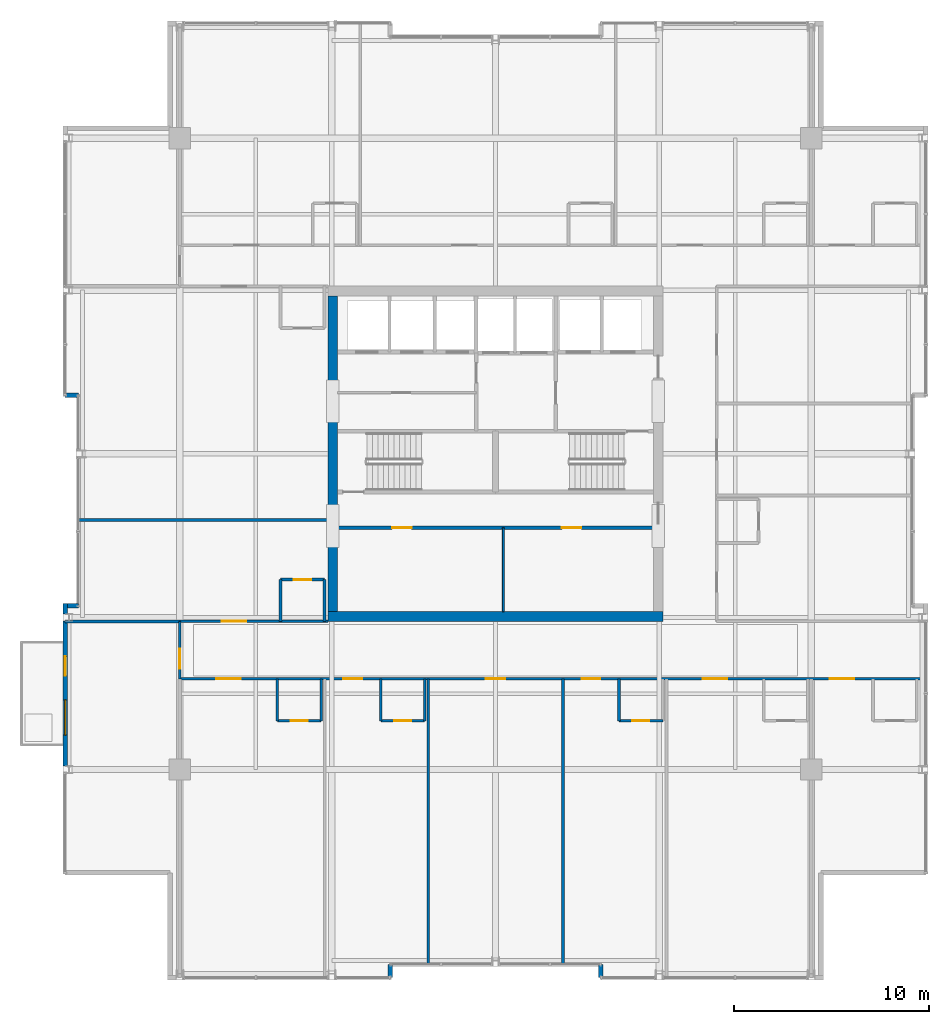
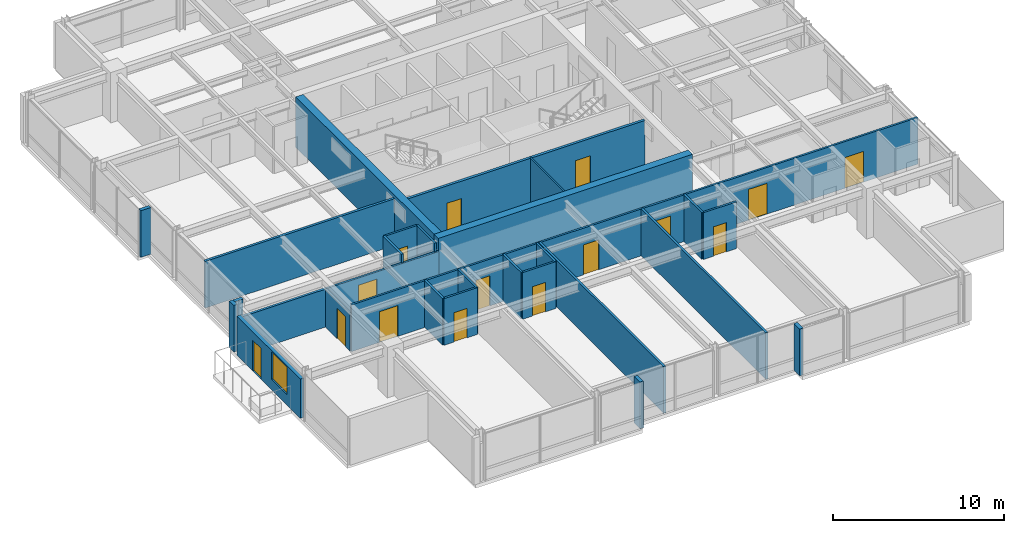
# One storey, part 26 of 31: 28 walls, 15 doors, 1 window, 16 openings.
"""IFC4 building model written with IfcOpenShell, lengths in metres."""

from ifc_helpers import new_model, si_unit, direction, frame, frame_2d, origin, place, context, subcontext, project, spatial, rectangle, extrude, material, layer, layer_set, type_object, element, fill, save


model = new_model("IFC4")

# Units and contexts
model_context = context("Model", 3, precision=1e-05, world=origin(), true_north=direction((0.0, 1.0)))
body_context = subcontext(model_context, "Body", "Model", "MODEL_VIEW")
ifc_project = project(units=[si_unit("LENGTHUNIT", "METRE"), si_unit("AREAUNIT", "SQUARE_METRE"), si_unit("VOLUMEUNIT", "CUBIC_METRE"), si_unit("PLANEANGLEUNIT", "RADIAN"), si_unit("MASSUNIT", "GRAM", prefix="KILO")], contexts=[model_context])

# Site, building, storey
site_placement = place(None, origin())
site = spatial("IfcSite", under=ifc_project, at=site_placement, CompositionType="ELEMENT")
building_placement = place(site_placement, origin())
building = spatial("IfcBuilding", under=site, at=building_placement, Name="Drelvath Grand Hotel", CompositionType="ELEMENT")
storey_placement = place(building_placement, frame((0.0, 0.0, 230.300048828125)))
storey = spatial("IfcBuildingStorey", under=building, at=storey_placement, Name="L60", CompositionType="ELEMENT", Elevation=230.300048828125)

# Wall
ifc_material_1 = material(Name="Gypsum Partition Board")
ifc_layer_1 = layer(ifc_material_1, 0.10009765625)
ifc_layer_set_1 = layer_set([ifc_layer_1], Name="Gypsum Partition Board")
wall_type_1 = type_object("IfcWallType", Name="Core Closet Partition 100", PredefinedType="PARTITIONING", material=ifc_layer_set_1)
wall_1_placement = place(storey_placement, frame((0.39990234375, 18.89990234375, 0.0), z_axis=(0.0, 0.0, 1.0), x_axis=(0.0, 1.0, 0.0)))
element("IfcWall", 1, at=wall_1_placement, inside=storey, type_object=wall_type_1, Name="L60 Upper Core Split 0", PredefinedType="PARTITIONING", context=body_context, shape_type="SweptSolid", body=[
    extrude(rectangle(XDim=4.300048828125, YDim=0.10009765625, at=frame_2d((2.14990234375, 0.0))), origin(), (0.0, 0.0, 1.0), 3.33984375),
])

# Wall, openings, doors
ifc_material_2 = material(Name="Gypsum Fireboard Partition")
ifc_layer_2 = layer(ifc_material_2, 0.135009765625)
ifc_layer_set_2 = layer_set([ifc_layer_2], Name="Gypsum Fireboard Partition")
wall_type_2 = type_object("IfcWallType", Name="Corridor Fire Barrier Wall 135", PredefinedType="PARTITIONING", material=ifc_layer_set_2)
wall_2_placement = place(storey_placement, frame((-16.199951171875, 15.449951171875, 0.0), z_axis=(0.0, 0.0, 1.0), x_axis=(1.0, 0.0, 0.0)))
wall_2 = element("IfcWall", 2, at=wall_2_placement, inside=storey, type_object=wall_type_2, Name="L60 South Cross-Gallery Wall", PredefinedType="PARTITIONING", context=body_context, shape_type="SweptSolid", body=[
    extrude(rectangle(XDim=38.280029296875, YDim=0.135009765625, at=frame_2d((19.14013671875, 0.0))), origin(), (0.0, 0.0, 1.0), 3.33984375),
])
opening_1_placement = place(wall_2_placement, frame((33.35498046875, 0.0, 0.0)))
opening_1 = element("IfcOpeningElement", 3, at=opening_1_placement, cuts=wall_2, Name="Opening D-T4G3-020", PredefinedType="OPENING", context=body_context, shape_type="SweptSolid", body=[
    extrude(rectangle(XDim=1.260009765625, YDim=2.199951171875, at=frame_2d((0.6298828125, 1.10009765625))), frame((0.0, 0.077392578125, 0.0), z_axis=(0.0, -1.0, 0.0), x_axis=(1.0, 0.0, 0.0)), (0.0, 0.0, 1.0), 0.155029296875),
])
opening_2_placement = place(wall_2_placement, frame((1.873046875, 0.0, 0.0)))
opening_2 = element("IfcOpeningElement", 4, at=opening_2_placement, cuts=wall_2, Name="Opening D-T4G3-024", PredefinedType="OPENING", context=body_context, shape_type="SweptSolid", body=[
    extrude(rectangle(XDim=1.260009765625, YDim=2.199951171875, at=frame_2d((0.6298828125, 1.10009765625))), frame((0.0, 0.077392578125, 0.0), z_axis=(0.0, -1.0, 0.0), x_axis=(1.0, 0.0, 0.0)), (0.0, 0.0, 1.0), 0.155029296875),
])
opening_3_placement = place(wall_2_placement, frame((8.396728515625, 0.0, 0.0)))
opening_3 = element("IfcOpeningElement", 5, at=opening_3_placement, cuts=wall_2, Name="Opening D-T4G3-026", PredefinedType="OPENING", context=body_context, shape_type="SweptSolid", body=[
    extrude(rectangle(XDim=0.9599609375, YDim=2.14990234375, at=frame_2d((0.47998046875, 1.074951171875))), frame((0.0, 0.077392578125, 0.0), z_axis=(0.0, -1.0, 0.0), x_axis=(1.0, 0.0, 0.0)), (0.0, 0.0, 1.0), 0.155029296875),
])
opening_4_placement = place(wall_2_placement, frame((15.68994140625, 0.0, 0.0)))
opening_4 = element("IfcOpeningElement", 6, at=opening_4_placement, cuts=wall_2, Name="Opening D-T4G3-027", PredefinedType="OPENING", context=body_context, shape_type="SweptSolid", body=[
    extrude(rectangle(XDim=1.02001953125, YDim=2.14990234375, at=frame_2d((0.510009765625, 1.074951171875))), frame((0.0, 0.077392578125, 0.0), z_axis=(0.0, -1.0, 0.0), x_axis=(1.0, 0.0, 0.0)), (0.0, 0.0, 1.0), 0.155029296875),
])
opening_5_placement = place(wall_2_placement, frame((20.61328125, 0.0, 0.0)))
opening_5 = element("IfcOpeningElement", 7, at=opening_5_placement, cuts=wall_2, Name="Opening D-T4G3-029", PredefinedType="OPENING", context=body_context, shape_type="SweptSolid", body=[
    extrude(rectangle(XDim=0.9599609375, YDim=2.14990234375, at=frame_2d((0.47998046875, 1.074951171875))), frame((0.0, 0.077392578125, 0.0), z_axis=(0.0, -1.0, 0.0), x_axis=(1.0, 0.0, 0.0)), (0.0, 0.0, 1.0), 0.155029296875),
])
opening_6_placement = place(wall_2_placement, frame((26.8369140625, 0.0, 0.0)))
opening_6 = element("IfcOpeningElement", 8, at=opening_6_placement, cuts=wall_2, Name="Opening D-T4G3-031", PredefinedType="OPENING", context=body_context, shape_type="SweptSolid", body=[
    extrude(rectangle(XDim=1.260009765625, YDim=2.199951171875, at=frame_2d((0.6298828125, 1.10009765625))), frame((0.0, 0.077392578125, 0.0), z_axis=(0.0, -1.0, 0.0), x_axis=(1.0, 0.0, 0.0)), (0.0, 0.0, 1.0), 0.155029296875),
])
ifc_material_3 = material(Name="Hardwood Walnut Timber", Category="wood")
door_type_1 = type_object("IfcDoorType", Name="Amenity Meeting Fire Door 1020x2150", OperationType="NOTDEFINED", PredefinedType="DOOR", material=ifc_material_3)
door_1_placement = place(opening_4_placement, origin())
door_1 = element("IfcDoor", 9, at=door_1_placement, inside=storey, type_object=door_type_1, Name="L60 Diplomatic Dining Salon Entry Door", OperationType="SINGLE_SWING_RIGHT", OverallHeight=2.14990234375, OverallWidth=1.02001953125, PredefinedType="DOOR", context=body_context, shape_type="SweptSolid", body=[
    extrude(rectangle(XDim=1.02001953125, YDim=2.14990234375, at=frame_2d((0.510009765625, 1.074951171875))), frame((0.0, 0.02490234375, 0.0), z_axis=(0.0, -1.0, 0.0), x_axis=(1.0, 0.0, 0.0)), (0.0, 0.0, 1.0), 0.050048828125),
])
fill(opening_4, door_1)
door_type_2 = type_object("IfcDoorType", Name="Guestroom Entrance Fire Door 960x2150", OperationType="NOTDEFINED", PredefinedType="DOOR", material=ifc_material_3)
door_2_placement = place(opening_3_placement, origin())
door_2 = element("IfcDoor", 10, at=door_2_placement, inside=storey, type_object=door_type_2, Name="L60 Deluxe Guest Room Entry Door", OperationType="SINGLE_SWING_LEFT", OverallHeight=2.14990234375, OverallWidth=0.9599609375, PredefinedType="DOOR", context=body_context, shape_type="SweptSolid", body=[
    extrude(rectangle(XDim=0.9599609375, YDim=2.14990234375, at=frame_2d((0.47998046875, 1.074951171875))), frame((0.0, 0.02490234375, 0.0), z_axis=(0.0, -1.0, 0.0), x_axis=(1.0, 0.0, 0.0)), (0.0, 0.0, 1.0), 0.050048828125),
])
fill(opening_3, door_2)
door_3_placement = place(opening_5_placement, origin())
door_3 = element("IfcDoor", 11, at=door_3_placement, inside=storey, type_object=door_type_2, Name="L60 Deluxe Guest Room Entry Door", OperationType="SINGLE_SWING_RIGHT", OverallHeight=2.14990234375, OverallWidth=0.9599609375, PredefinedType="DOOR", context=body_context, shape_type="SweptSolid", body=[
    extrude(rectangle(XDim=0.9599609375, YDim=2.14990234375, at=frame_2d((0.47998046875, 1.074951171875))), frame((0.0, 0.02490234375, 0.0), z_axis=(0.0, -1.0, 0.0), x_axis=(1.0, 0.0, 0.0)), (0.0, 0.0, 1.0), 0.050048828125),
])
fill(opening_5, door_3)
door_type_3 = type_object("IfcDoorType", Name="Suite Entrance Fire Door 1260x2200", OperationType="NOTDEFINED", PredefinedType="DOOR", material=ifc_material_3)
door_4_placement = place(opening_1_placement, origin())
door_4 = element("IfcDoor", 12, at=door_4_placement, inside=storey, type_object=door_type_3, Name="L60 Diplomatic Suite Entry Door", OperationType="SINGLE_SWING_LEFT", OverallHeight=2.199951171875, OverallWidth=1.260009765625, PredefinedType="DOOR", context=body_context, shape_type="SweptSolid", body=[
    extrude(rectangle(XDim=1.260009765625, YDim=2.199951171875, at=frame_2d((0.6298828125, 1.10009765625))), frame((0.0, 0.02490234375, 0.0), z_axis=(0.0, -1.0, 0.0), x_axis=(1.0, 0.0, 0.0)), (0.0, 0.0, 1.0), 0.050048828125),
])
fill(opening_1, door_4)
door_5_placement = place(opening_2_placement, origin())
door_5 = element("IfcDoor", 13, at=door_5_placement, inside=storey, type_object=door_type_3, Name="L60 Diplomatic Suite Entry Door", OperationType="SINGLE_SWING_LEFT", OverallHeight=2.199951171875, OverallWidth=1.260009765625, PredefinedType="DOOR", context=body_context, shape_type="SweptSolid", body=[
    extrude(rectangle(XDim=1.260009765625, YDim=2.199951171875, at=frame_2d((0.6298828125, 1.10009765625))), frame((0.0, 0.02490234375, 0.0), z_axis=(0.0, -1.0, 0.0), x_axis=(1.0, 0.0, 0.0)), (0.0, 0.0, 1.0), 0.050048828125),
])
fill(opening_2, door_5)
door_6_placement = place(opening_6_placement, origin())
door_6 = element("IfcDoor", 14, at=door_6_placement, inside=storey, type_object=door_type_3, Name="L60 Diplomatic Suite Entry Door", OperationType="SINGLE_SWING_RIGHT", OverallHeight=2.199951171875, OverallWidth=1.260009765625, PredefinedType="DOOR", context=body_context, shape_type="SweptSolid", body=[
    extrude(rectangle(XDim=1.260009765625, YDim=2.199951171875, at=frame_2d((0.6298828125, 1.10009765625))), frame((0.0, 0.02490234375, 0.0), z_axis=(0.0, -1.0, 0.0), x_axis=(1.0, 0.0, 0.0)), (0.0, 0.0, 1.0), 0.050048828125),
])
fill(opening_6, door_6)

# Wall, opening, door
wall_3_placement = place(storey_placement, frame((-16.199951171875, 18.39990234375, 0.0), z_axis=(0.0, 0.0, 1.0), x_axis=(1.0, 0.0, 0.0)))
wall_3 = element("IfcWall", 15, at=wall_3_placement, inside=storey, type_object=wall_type_2, Name="L60 South Gallery Inner West Wall", PredefinedType="PARTITIONING", context=body_context, shape_type="SweptSolid", body=[
    extrude(rectangle(XDim=7.599853515625, YDim=0.135009765625, at=frame_2d((3.7998046875, 0.0))), origin(), (0.0, 0.0, 1.0), 2.71728515625),
])
opening_7_placement = place(wall_3_placement, frame((2.155029296875, 0.0, 0.0)))
opening_7 = element("IfcOpeningElement", 16, at=opening_7_placement, cuts=wall_3, Name="Opening D-T4G3-043", PredefinedType="OPENING", context=body_context, shape_type="SweptSolid", body=[
    extrude(rectangle(XDim=1.260009765625, YDim=2.199951171875, at=frame_2d((0.6298828125, 1.10009765625))), frame((0.0, 0.077392578125, 0.0), z_axis=(0.0, -1.0, 0.0), x_axis=(1.0, 0.0, 0.0)), (0.0, 0.0, 1.0), 0.155029296875),
])
door_7_placement = place(opening_7_placement, origin())
door_7 = element("IfcDoor", 17, at=door_7_placement, inside=storey, type_object=door_type_3, Name="L60 Diplomatic Suite Entry Door", OperationType="SINGLE_SWING_RIGHT", OverallHeight=2.199951171875, OverallWidth=1.260009765625, PredefinedType="DOOR", context=body_context, shape_type="SweptSolid", body=[
    extrude(rectangle(XDim=1.260009765625, YDim=2.199951171875, at=frame_2d((0.6298828125, 1.10009765625))), frame((0.0, 0.02490234375, 0.0), z_axis=(0.0, -1.0, 0.0), x_axis=(1.0, 0.0, 0.0)), (0.0, 0.0, 1.0), 0.050048828125),
])
fill(opening_7, door_7)

wall_4_placement = place(storey_placement, frame((-16.199951171875, 15.449951171875, 0.0), z_axis=(0.0, 0.0, 1.0), x_axis=(0.0, 1.0, 0.0)))
wall_4 = element("IfcWall", 18, at=wall_4_placement, inside=storey, type_object=wall_type_2, Name="L60 South Gallery West End", PredefinedType="PARTITIONING", context=body_context, shape_type="SweptSolid", body=[
    extrude(rectangle(XDim=2.949951171875, YDim=0.135009765625, at=frame_2d((1.47509765625, 0.0))), origin(), (0.0, 0.0, 1.0), 2.7138671875),
])
opening_8_placement = place(wall_4_placement, frame((0.52001953125, 0.0, 0.0)))
opening_8 = element("IfcOpeningElement", 19, at=opening_8_placement, cuts=wall_4, Name="Opening D-T4G3-017", PredefinedType="OPENING", context=body_context, shape_type="SweptSolid", body=[
    extrude(rectangle(XDim=1.02001953125, YDim=2.14990234375, at=frame_2d((0.510009765625, 1.074951171875))), frame((0.0, 0.077392578125, 0.0), z_axis=(0.0, -1.0, 0.0), x_axis=(1.0, 0.0, 0.0)), (0.0, 0.0, 1.0), 0.155029296875),
])
door_8_placement = place(opening_8_placement, origin())
door_8 = element("IfcDoor", 20, at=door_8_placement, inside=storey, type_object=door_type_1, Name="L60 Corner Panorama Lounge Door", OperationType="SINGLE_SWING_RIGHT", OverallHeight=2.14990234375, OverallWidth=1.02001953125, PredefinedType="DOOR", context=body_context, shape_type="SweptSolid", body=[
    extrude(rectangle(XDim=1.02001953125, YDim=2.14990234375, at=frame_2d((0.510009765625, 1.074951171875))), frame((0.0, 0.02490234375, 0.0), z_axis=(0.0, -1.0, 0.0), x_axis=(1.0, 0.0, 0.0)), (0.0, 0.0, 1.0), 0.050048828125),
])
fill(opening_8, door_8)

# Walls
ifc_material_4 = material(Name="Moisture-Resistant Gypsum Board")
ifc_layer_3 = layer(ifc_material_4, 0.139892578125)
ifc_layer_set_3 = layer_set([ifc_layer_3], Name="Moisture-Resistant Gypsum Board")
wall_type_3 = type_object("IfcWallType", Name="En-Suite Plumbing Wall 140", PredefinedType="PLUMBINGWALL", material=ifc_layer_set_3)
for number, where, z_axis, x_axis, name in (
    (21, (-11.19384765625, 15.449951171875, 0.0), (0.0, 0.0, 1.0), (0.0, -1.0, 0.0), "L60 En-Suite Left Wall"),
    (22, (-8.94384765625, 15.449951171875, 0.0), (0.0, 0.0, 1.0), (0.0, -1.0, 0.0), "L60 En-Suite Right Wall"),
):
    element("IfcWall", number, at=place(storey_placement, frame(where, z_axis=z_axis, x_axis=x_axis)), inside=storey, type_object=wall_type_3, Name=name, PredefinedType="PLUMBINGWALL", context=body_context, shape_type="SweptSolid", body=[
        extrude(rectangle(XDim=2.14990234375, YDim=0.139892578125, at=frame_2d((1.074951171875, 0.0))), origin(), (0.0, 0.0, 1.0), 3.33984375),
    ])

# Wall, opening, door
wall_5_placement = place(storey_placement, frame((-11.19384765625, 13.300048828125, 0.0), z_axis=(0.0, 0.0, 1.0), x_axis=(1.0, 0.0, 0.0)))
wall_5 = element("IfcWall", 23, at=wall_5_placement, inside=storey, type_object=wall_type_3, Name="L60 En-Suite Front Wall", PredefinedType="PLUMBINGWALL", context=body_context, shape_type="SweptSolid", body=[
    extrude(rectangle(XDim=2.25, YDim=0.139892578125, at=frame_2d((1.125, 0.0))), origin(), (0.0, 0.0, 1.0), 3.33984375),
])
opening_9_placement = place(wall_5_placement, frame((0.68505859375, 0.0, 0.0)))
opening_9 = element("IfcOpeningElement", 24, at=opening_9_placement, cuts=wall_5, Name="Opening D-T4G3-023", PredefinedType="OPENING", context=body_context, shape_type="SweptSolid", body=[
    extrude(rectangle(XDim=0.8798828125, YDim=2.10009765625, at=frame_2d((0.43994140625, 1.050048828125))), frame((0.0, 0.079833984375, 0.0), z_axis=(0.0, -1.0, 0.0), x_axis=(1.0, 0.0, 0.0)), (0.0, 0.0, 1.0), 0.159912109375),
])
door_type_4 = type_object("IfcDoorType", Name="En-Suite Bathroom Door 880x2100", OperationType="NOTDEFINED", PredefinedType="DOOR", material=ifc_material_3)
door_9_placement = place(opening_9_placement, origin())
door_9 = element("IfcDoor", 25, at=door_9_placement, inside=storey, type_object=door_type_4, Name="L60 En-Suite Bathroom Door", OperationType="SINGLE_SWING_RIGHT", OverallHeight=2.10009765625, OverallWidth=0.8798828125, PredefinedType="DOOR", context=body_context, shape_type="SweptSolid", body=[
    extrude(rectangle(XDim=0.8798828125, YDim=2.10009765625, at=frame_2d((0.43994140625, 1.050048828125))), frame((0.0, 0.02490234375, 0.0), z_axis=(0.0, -1.0, 0.0), x_axis=(1.0, 0.0, 0.0)), (0.0, 0.0, 1.0), 0.050048828125),
])
fill(opening_9, door_9)

# Walls
for number, where, z_axis, x_axis, name in (
    (26, (-5.882568359375, 15.449951171875, 0.0), (0.0, 0.0, 1.0), (0.0, -1.0, 0.0), "L60 En-Suite Left Wall"),
    (27, (-3.632568359375, 15.449951171875, 0.0), (0.0, 0.0, 1.0), (0.0, -1.0, 0.0), "L60 En-Suite Right Wall"),
):
    element("IfcWall", number, at=place(storey_placement, frame(where, z_axis=z_axis, x_axis=x_axis)), inside=storey, type_object=wall_type_3, Name=name, PredefinedType="PLUMBINGWALL", context=body_context, shape_type="SweptSolid", body=[
        extrude(rectangle(XDim=2.14990234375, YDim=0.139892578125, at=frame_2d((1.074951171875, 0.0))), origin(), (0.0, 0.0, 1.0), 3.33984375),
    ])

# Wall, opening, door
wall_6_placement = place(storey_placement, frame((-5.882568359375, 13.300048828125, 0.0), z_axis=(0.0, 0.0, 1.0), x_axis=(1.0, 0.0, 0.0)))
wall_6 = element("IfcWall", 28, at=wall_6_placement, inside=storey, type_object=wall_type_3, Name="L60 En-Suite Front Wall", PredefinedType="PLUMBINGWALL", context=body_context, shape_type="SweptSolid", body=[
    extrude(rectangle(XDim=2.25, YDim=0.139892578125, at=frame_2d((1.125, 0.0))), origin(), (0.0, 0.0, 1.0), 3.33984375),
])
opening_10_placement = place(wall_6_placement, frame((0.68505859375, 0.0, 0.0)))
opening_10 = element("IfcOpeningElement", 29, at=opening_10_placement, cuts=wall_6, Name="Opening D-T4G3-025", PredefinedType="OPENING", context=body_context, shape_type="SweptSolid", body=[
    extrude(rectangle(XDim=0.8798828125, YDim=2.10009765625, at=frame_2d((0.43994140625, 1.050048828125))), frame((0.0, 0.079833984375, 0.0), z_axis=(0.0, -1.0, 0.0), x_axis=(1.0, 0.0, 0.0)), (0.0, 0.0, 1.0), 0.159912109375),
])
door_10_placement = place(opening_10_placement, origin())
door_10 = element("IfcDoor", 30, at=door_10_placement, inside=storey, type_object=door_type_4, Name="L60 En-Suite Bathroom Door", OperationType="SINGLE_SWING_RIGHT", OverallHeight=2.10009765625, OverallWidth=0.8798828125, PredefinedType="DOOR", context=body_context, shape_type="SweptSolid", body=[
    extrude(rectangle(XDim=0.8798828125, YDim=2.10009765625, at=frame_2d((0.43994140625, 1.050048828125))), frame((0.0, 0.02490234375, 0.0), z_axis=(0.0, -1.0, 0.0), x_axis=(1.0, 0.0, 0.0)), (0.0, 0.0, 1.0), 0.050048828125),
])
fill(opening_10, door_10)

# Wall
wall_7_placement = place(storey_placement, frame((6.333984375, 15.449951171875, 0.0), z_axis=(0.0, 0.0, 1.0), x_axis=(0.0, -1.0, 0.0)))
element("IfcWall", 31, at=wall_7_placement, inside=storey, type_object=wall_type_3, Name="L60 En-Suite Left Wall", PredefinedType="PLUMBINGWALL", context=body_context, shape_type="SweptSolid", body=[
    extrude(rectangle(XDim=2.14990234375, YDim=0.139892578125, at=frame_2d((1.074951171875, 0.0))), origin(), (0.0, 0.0, 1.0), 3.33984375),
])

# Wall, opening, door
wall_8_placement = place(storey_placement, frame((6.333984375, 13.300048828125, 0.0), z_axis=(0.0, 0.0, 1.0), x_axis=(1.0, 0.0, 0.0)))
wall_8 = element("IfcWall", 32, at=wall_8_placement, inside=storey, type_object=wall_type_3, Name="L60 En-Suite Front Wall", PredefinedType="PLUMBINGWALL", context=body_context, shape_type="SweptSolid", body=[
    extrude(rectangle(XDim=2.25, YDim=0.139892578125, at=frame_2d((1.125, 0.0))), origin(), (0.0, 0.0, 1.0), 3.33984375),
])
opening_11_placement = place(wall_8_placement, frame((0.68505859375, 0.0, 0.0)))
opening_11 = element("IfcOpeningElement", 33, at=opening_11_placement, cuts=wall_8, Name="Opening D-T4G3-028", PredefinedType="OPENING", context=body_context, shape_type="SweptSolid", body=[
    extrude(rectangle(XDim=0.8798828125, YDim=2.10009765625, at=frame_2d((0.43994140625, 1.050048828125))), frame((0.0, 0.079833984375, 0.0), z_axis=(0.0, -1.0, 0.0), x_axis=(1.0, 0.0, 0.0)), (0.0, 0.0, 1.0), 0.159912109375),
])
door_11_placement = place(opening_11_placement, origin())
door_11 = element("IfcDoor", 34, at=door_11_placement, inside=storey, type_object=door_type_4, Name="L60 En-Suite Bathroom Door", OperationType="SINGLE_SWING_LEFT", OverallHeight=2.10009765625, OverallWidth=0.8798828125, PredefinedType="DOOR", context=body_context, shape_type="SweptSolid", body=[
    extrude(rectangle(XDim=0.8798828125, YDim=2.10009765625, at=frame_2d((0.43994140625, 1.050048828125))), frame((0.0, 0.02490234375, 0.0), z_axis=(0.0, -1.0, 0.0), x_axis=(1.0, 0.0, 0.0)), (0.0, 0.0, 1.0), 0.050048828125),
])
fill(opening_11, door_11)

# Walls
for number, where, z_axis, x_axis, name in (
    (35, (-11.030029296875, 18.39990234375, 0.0), (0.0, 0.0, 1.0), (0.0, 1.0, 0.0), "L60 En-Suite Left Wall"),
    (36, (-8.780029296875, 18.39990234375, 0.0), (0.0, 0.0, 1.0), (0.0, 1.0, 0.0), "L60 En-Suite Right Wall"),
):
    element("IfcWall", number, at=place(storey_placement, frame(where, z_axis=z_axis, x_axis=x_axis)), inside=storey, type_object=wall_type_3, Name=name, PredefinedType="PLUMBINGWALL", context=body_context, shape_type="SweptSolid", body=[
        extrude(rectangle(XDim=2.150146484375, YDim=0.139892578125, at=frame_2d((1.0751953125, 0.0))), origin(), (0.0, 0.0, 1.0), 3.33984375),
    ])

# Wall, opening, door
wall_9_placement = place(storey_placement, frame((-11.030029296875, 20.550048828125, 0.0), z_axis=(0.0, 0.0, 1.0), x_axis=(1.0, 0.0, 0.0)))
wall_9 = element("IfcWall", 37, at=wall_9_placement, inside=storey, type_object=wall_type_3, Name="L60 En-Suite Front Wall", PredefinedType="PLUMBINGWALL", context=body_context, shape_type="SweptSolid", body=[
    extrude(rectangle(XDim=2.25, YDim=0.139892578125, at=frame_2d((1.125, 0.0))), origin(), (0.0, 0.0, 1.0), 3.33984375),
])
opening_12_placement = place(wall_9_placement, frame((0.68505859375, 0.0, 0.0)))
opening_12 = element("IfcOpeningElement", 38, at=opening_12_placement, cuts=wall_9, Name="Opening D-T4G3-042", PredefinedType="OPENING", context=body_context, shape_type="SweptSolid", body=[
    extrude(rectangle(XDim=0.8798828125, YDim=2.10009765625, at=frame_2d((0.43994140625, 1.050048828125))), frame((0.0, 0.079833984375, 0.0), z_axis=(0.0, -1.0, 0.0), x_axis=(1.0, 0.0, 0.0)), (0.0, 0.0, 1.0), 0.159912109375),
])
door_12_placement = place(opening_12_placement, origin())
door_12 = element("IfcDoor", 39, at=door_12_placement, inside=storey, type_object=door_type_4, Name="L60 En-Suite Bathroom Door", OperationType="SINGLE_SWING_LEFT", OverallHeight=2.10009765625, OverallWidth=0.8798828125, PredefinedType="DOOR", context=body_context, shape_type="SweptSolid", body=[
    extrude(rectangle(XDim=0.8798828125, YDim=2.10009765625, at=frame_2d((0.43994140625, 1.050048828125))), frame((0.0, 0.02490234375, 0.0), z_axis=(0.0, -1.0, 0.0), x_axis=(1.0, 0.0, 0.0)), (0.0, 0.0, 1.0), 0.050048828125),
])
fill(opening_12, door_12)

# Wall, openings, doors
ifc_layer_4 = layer(ifc_material_2, 0.179931640625)
ifc_layer_set_4 = layer_set([ifc_layer_4], Name="Gypsum Fireboard Partition")
wall_type_4 = type_object("IfcWallType", Name="FSAE Smoke Lobby Fire Wall 180", PredefinedType="SOLIDWALL", material=ifc_layer_set_4)
wall_10_placement = place(storey_placement, frame((-8.10009765625, 23.199951171875, 0.0), z_axis=(0.0, 0.0, 1.0), x_axis=(1.0, 0.0, 0.0)))
wall_10 = element("IfcWall", 40, at=wall_10_placement, inside=storey, type_object=wall_type_4, Name="L60 Upper Reclaimed Core Wall", PredefinedType="SOLIDWALL", context=body_context, shape_type="SweptSolid", body=[
    extrude(rectangle(XDim=16.2001953125, YDim=0.179931640625, at=frame_2d((8.10009765625, 0.0))), origin(), (0.0, 0.0, 1.0), 3.33984375),
])
opening_13_placement = place(wall_10_placement, frame((2.800048828125, 0.0, 0.0)))
opening_13 = element("IfcOpeningElement", 41, at=opening_13_placement, cuts=wall_10, Name="Opening D-T4G3-015", PredefinedType="OPENING", context=body_context, shape_type="SweptSolid", body=[
    extrude(rectangle(XDim=1.0, YDim=2.10009765625, at=frame_2d((0.5, 1.050048828125))), frame((0.0, 0.099853515625, 0.0), z_axis=(0.0, -1.0, 0.0), x_axis=(1.0, 0.0, 0.0)), (0.0, 0.0, 1.0), 0.199951171875),
])
opening_14_placement = place(wall_10_placement, frame((11.5, 0.0, 0.0)))
opening_14 = element("IfcOpeningElement", 42, at=opening_14_placement, cuts=wall_10, Name="Opening D-T4G3-016", PredefinedType="OPENING", context=body_context, shape_type="SweptSolid", body=[
    extrude(rectangle(XDim=1.0, YDim=2.10009765625, at=frame_2d((0.5, 1.050048828125))), frame((0.0, 0.099853515625, 0.0), z_axis=(0.0, -1.0, 0.0), x_axis=(1.0, 0.0, 0.0)), (0.0, 0.0, 1.0), 0.199951171875),
])
ifc_material_5 = material(Name="Painted Steel S275", Category="steel")
door_type_5 = type_object("IfcDoorType", Name="Core Service Fire Door 1000x2100", OperationType="NOTDEFINED", PredefinedType="DOOR", material=ifc_material_5)
door_13_placement = place(opening_13_placement, origin())
door_13 = element("IfcDoor", 43, at=door_13_placement, inside=storey, type_object=door_type_5, Name="L60 Housekeeping Door", OperationType="SINGLE_SWING_RIGHT", OverallHeight=2.10009765625, OverallWidth=1.0, PredefinedType="DOOR", context=body_context, shape_type="SweptSolid", body=[
    extrude(rectangle(XDim=1.0, YDim=2.10009765625, at=frame_2d((0.5, 1.050048828125))), frame((0.0, 0.02490234375, 0.0), z_axis=(0.0, -1.0, 0.0), x_axis=(1.0, 0.0, 0.0)), (0.0, 0.0, 1.0), 0.050048828125),
])
fill(opening_13, door_13)
door_14_placement = place(opening_14_placement, origin())
door_14 = element("IfcDoor", 44, at=door_14_placement, inside=storey, type_object=door_type_5, Name="L60 Butler Pantry Door", OperationType="SINGLE_SWING_LEFT", OverallHeight=2.10009765625, OverallWidth=1.0, PredefinedType="DOOR", context=body_context, shape_type="SweptSolid", body=[
    extrude(rectangle(XDim=1.0, YDim=2.10009765625, at=frame_2d((0.5, 1.050048828125))), frame((0.0, 0.02490234375, 0.0), z_axis=(0.0, -1.0, 0.0), x_axis=(1.0, 0.0, 0.0)), (0.0, 0.0, 1.0), 0.050048828125),
])
fill(opening_14, door_14)

# Walls
ifc_material_6 = material(Name="Gypsum Acoustic Partition")
ifc_layer_5 = layer(ifc_material_6, 0.14990234375)
ifc_layer_set_5 = layer_set([ifc_layer_5], Name="Gypsum Acoustic Partition")
wall_type_5 = type_object("IfcWallType", Name="Guestroom Demising Wall 150", PredefinedType="PARTITIONING", material=ifc_layer_set_5)
for number, where, z_axis, x_axis, name in (
    (45, (-3.452392578125, 0.800048828125, 0.0), (0.0, 0.0, 1.0), (0.0, 1.0, 0.0), "L60 South Demising 2"),
    (46, (3.452392578125, 0.800048828125, 0.0), (0.0, 0.0, 1.0), (0.0, 1.0, 0.0), "L60 South Demising 3"),
):
    element("IfcWall", number, at=place(storey_placement, frame(where, z_axis=z_axis, x_axis=x_axis)), inside=storey, type_object=wall_type_5, Name=name, PredefinedType="PARTITIONING", context=body_context, shape_type="SweptSolid", body=[
        extrude(rectangle(XDim=14.64990234375, YDim=0.14990234375, at=frame_2d((7.324951171875, 0.0))), origin(), (0.0, 0.0, 1.0), 3.33984375),
    ])
ifc_layer_6 = layer(ifc_material_6, 0.1650390625)
ifc_layer_set_6 = layer_set([ifc_layer_6], Name="Gypsum Acoustic Partition")
wall_type_6 = type_object("IfcWallType", Name="Suite Demising Wall 165", PredefinedType="PARTITIONING", material=ifc_layer_set_6)
wall_11_placement = place(storey_placement, frame((-22.080078125, 18.39990234375, 0.0), z_axis=(0.0, 0.0, 1.0), x_axis=(1.0, 0.0, 0.0)))
element("IfcWall", 47, at=wall_11_placement, inside=storey, type_object=wall_type_6, Name="L60 SW Corner North Wall", PredefinedType="PARTITIONING", context=body_context, shape_type="SweptSolid", body=[
    extrude(rectangle(XDim=5.880126953125, YDim=0.1650390625, at=frame_2d((2.93994140625, 0.0))), origin(), (0.0, 0.0, 1.0), 2.7138671875),
])
wall_12_placement = place(storey_placement, frame((-21.39990234375, 23.60009765625, 0.0), z_axis=(0.0, 0.0, 1.0), x_axis=(1.0, 0.0, 0.0)))
element("IfcWall", 48, at=wall_12_placement, inside=storey, type_object=wall_type_6, Name="L60 West Grand Suite Split Wall", PredefinedType="PARTITIONING", context=body_context, shape_type="SweptSolid", body=[
    extrude(rectangle(XDim=12.7998046875, YDim=0.1650390625, at=frame_2d((6.39990234375, 0.0))), origin(), (0.0, 0.0, 1.0), 3.33984375),
])

# Wall, openings, window, door
ifc_material_7 = material(Name="Pale-Metal Insulated Aluminium Spandrel Assembly", Category="aluminium")
ifc_layer_7 = layer(ifc_material_7, 0.239990234375)
ifc_layer_set_7 = layer_set([ifc_layer_7], Name="Pale-Metal Insulated Aluminium Spandrel Assembly")
wall_type_7 = type_object("IfcWallType", Name="Tower Insulated Metal Spandrel Closure Wall 240", PredefinedType="STANDARD", material=ifc_layer_set_7)
wall_13_placement = place(storey_placement, frame((-22.080078125, 10.9853515625, 0.0), z_axis=(0.0, 0.0, 1.0), x_axis=(0.0, 1.0, 0.0)))
wall_13 = element("IfcWall", 49, at=wall_13_placement, inside=storey, type_object=wall_type_7, Name="L60 Exterior Terrace Door Bay Wall WS2", PredefinedType="STANDARD", context=body_context, shape_type="SweptSolid", body=[
    extrude(rectangle(XDim=7.429443359375, YDim=0.239990234375, at=frame_2d((3.71484375, 0.0))), origin(), (0.0, 0.0, 1.0), 2.80322265625),
])
opening_15_placement = place(wall_13_placement, frame((4.61474609375, 0.0, 0.0)))
opening_15 = element("IfcOpeningElement", 50, at=opening_15_placement, cuts=wall_13, Name="Opening TD-1000", PredefinedType="OPENING", context=body_context, shape_type="SweptSolid", body=[
    extrude(rectangle(XDim=1.0, YDim=2.199951171875, at=frame_2d((0.5, 1.10009765625))), frame((0.0, 0.1298828125, 0.0), z_axis=(0.0, -1.0, 0.0), x_axis=(1.0, 0.0, 0.0)), (0.0, 0.0, 1.0), 0.260009765625),
])
opening_16_placement = place(wall_13_placement, frame((1.5830078125, 0.0, 0.75)))
opening_16 = element("IfcOpeningElement", 51, at=opening_16_placement, cuts=wall_13, Name="Opening W-02", PredefinedType="OPENING", context=body_context, shape_type="SweptSolid", body=[
    extrude(rectangle(XDim=1.800048828125, YDim=1.953369140625, at=frame_2d((0.89990234375, 0.9765625))), frame((0.0, 0.1298828125, 0.0), z_axis=(0.0, -1.0, 0.0), x_axis=(1.0, 0.0, 0.0)), (0.0, 0.0, 1.0), 0.260009765625),
])
ifc_material_8 = material(Name="Bronze Anodised Low-E Triple Glazing", Category="glass")
window_type = type_object("IfcWindowType", Name="Chicago Double-Pane Podium Window 1800x2400", PartitioningType="DOUBLE_PANEL_VERTICAL", PredefinedType="WINDOW", material=ifc_material_8)
window_placement = place(opening_16_placement, origin())
window = element("IfcWindow", 52, at=window_placement, inside=storey, type_object=window_type, Name="L60 Terrace Bay Companion Window WS2", OverallHeight=1.953369140625, OverallWidth=1.800048828125, PartitioningType="SINGLE_PANEL", PredefinedType="WINDOW", context=body_context, shape_type="SweptSolid", body=[
    extrude(rectangle(XDim=1.800048828125, YDim=1.953369140625, at=frame_2d((0.89990234375, 0.9765625))), frame((0.0, 0.030029296875, 0.0), z_axis=(0.0, -1.0, 0.0), x_axis=(1.0, 0.0, 0.0)), (0.0, 0.0, 1.0), 0.06005859375),
])
fill(opening_16, window)
ifc_material_9 = material(Name="Anodised Aluminium Thermally Broken Glazed Door", Category="aluminium")
door_type_6 = type_object("IfcDoorType", Name="Terrace and Tree Balcony Glazed Door 1000x2200", OperationType="NOTDEFINED", PredefinedType="DOOR", material=ifc_material_9)
door_15_placement = place(opening_15_placement, origin())
door_15 = element("IfcDoor", 53, at=door_15_placement, inside=storey, type_object=door_type_6, Name="L60 Tree Balcony Door DOOR-L60-TBAL-1", OperationType="SINGLE_SWING_LEFT", OverallHeight=2.199951171875, OverallWidth=1.0, PredefinedType="DOOR", context=body_context, shape_type="SweptSolid", body=[
    extrude(rectangle(XDim=1.0, YDim=2.199951171875, at=frame_2d((0.5, 1.10009765625))), frame((0.0, 0.02490234375, 0.0), z_axis=(0.0, -1.0, 0.0), x_axis=(1.0, 0.0, 0.0)), (0.0, 0.0, 1.0), 0.050048828125),
])
fill(opening_15, door_15)

# Walls
wall_14_placement = place(storey_placement, frame((-22.080078125, 18.785400390625, 0.0), z_axis=(0.0, 0.0, 1.0), x_axis=(0.0, 1.0, 0.0)))
element("IfcWall", 54, at=wall_14_placement, inside=storey, type_object=wall_type_7, Name="L60 Corner Pier Spandrel Wall WS3", PredefinedType="STANDARD", context=body_context, shape_type="SweptSolid", body=[
    extrude(rectangle(XDim=0.53466796875, YDim=0.239990234375, at=frame_2d((0.267333984375, 0.0))), origin(), (0.0, 0.0, 1.0), 3.33984375),
])
wall_15_placement = place(storey_placement, frame((-21.9599609375, 19.199951171875, 0.0), z_axis=(0.0, 0.0, 1.0), x_axis=(1.0, 0.0, 0.0)))
element("IfcWall", 55, at=wall_15_placement, inside=storey, type_object=wall_type_7, Name="L60 Notched Corner Return Spandrel Wall RW1", PredefinedType="STANDARD", context=body_context, shape_type="SweptSolid", body=[
    extrude(rectangle(XDim=0.56005859375, YDim=0.239990234375, at=frame_2d((0.280029296875, 0.0))), origin(), (0.0, 0.0, 1.0), 3.33984375),
])
wall_16_placement = place(storey_placement, frame((-21.39990234375, 30.0, 0.0), z_axis=(0.0, 0.0, 1.0), x_axis=(-1.0, 0.0, 0.0)))
element("IfcWall", 56, at=wall_16_placement, inside=storey, type_object=wall_type_7, Name="L60 Notched Corner Return Spandrel Wall RW2", PredefinedType="STANDARD", context=body_context, shape_type="SweptSolid", body=[
    extrude(rectangle(XDim=0.68017578125, YDim=0.239990234375, at=frame_2d((0.340087890625, 0.0))), origin(), (0.0, 0.0, 1.0), 3.33984375),
])
for number, where, z_axis, x_axis, name in (
    (57, (5.39990234375, 0.1201171875, 0.0), (0.0, 0.0, 1.0), (0.0, 1.0, 0.0), "L60 Notched Corner Return Spandrel Wall RS1"),
    (58, (-5.39990234375, 0.800048828125, 0.0), (0.0, 0.0, 1.0), (0.0, -1.0, 0.0), "L60 Notched Corner Return Spandrel Wall RS2"),
):
    element("IfcWall", number, at=place(storey_placement, frame(where, z_axis=z_axis, x_axis=x_axis)), inside=storey, type_object=wall_type_7, Name=name, PredefinedType="STANDARD", context=body_context, shape_type="SweptSolid", body=[
        extrude(rectangle(XDim=0.679931640625, YDim=0.239990234375, at=frame_2d((0.33984375, 0.0))), origin(), (0.0, 0.0, 1.0), 3.33984375),
    ])
ifc_material_10 = material(Name="Concrete f'c 55 MPa", Category="concrete")
ifc_layer_8 = layer(ifc_material_10, 0.5)
ifc_layer_set_8 = layer_set([ifc_layer_8], Name="Concrete f'c 55 MPa")
wall_type_8 = type_object("IfcWallType", Name="Upper Core RC Shear Wall 500", PredefinedType="SHEAR", material=ifc_layer_set_8)
wall_17_placement = place(storey_placement, frame((8.60009765625, 18.64990234375, 0.0), z_axis=(0.0, 0.0, 1.0), x_axis=(-1.0, 0.0, 0.0)))
element("IfcWall", 59, at=wall_17_placement, inside=storey, type_object=wall_type_8, Name="L60 Central Core Shear Wall S", PredefinedType="SHEAR", context=body_context, shape_type="SweptSolid", body=[
    extrude(rectangle(XDim=17.2001953125, YDim=0.5, at=frame_2d((8.60009765625, 0.0))), origin(), (0.0, 0.0, 1.0), 3.599853515625),
])
wall_18_placement = place(storey_placement, frame((-8.35009765625, 18.89990234375, 0.0), z_axis=(0.0, 0.0, 1.0), x_axis=(0.0, 1.0, 0.0)))
element("IfcWall", 60, at=wall_18_placement, inside=storey, type_object=wall_type_8, Name="L60 Central Core Shear Wall W", PredefinedType="SHEAR", context=body_context, shape_type="SweptSolid", body=[
    extrude(rectangle(XDim=16.2001953125, YDim=0.5, at=frame_2d((8.10009765625, 0.0))), origin(), (0.0, 0.0, 1.0), 3.599853515625),
])

save(model, "model.ifc")
